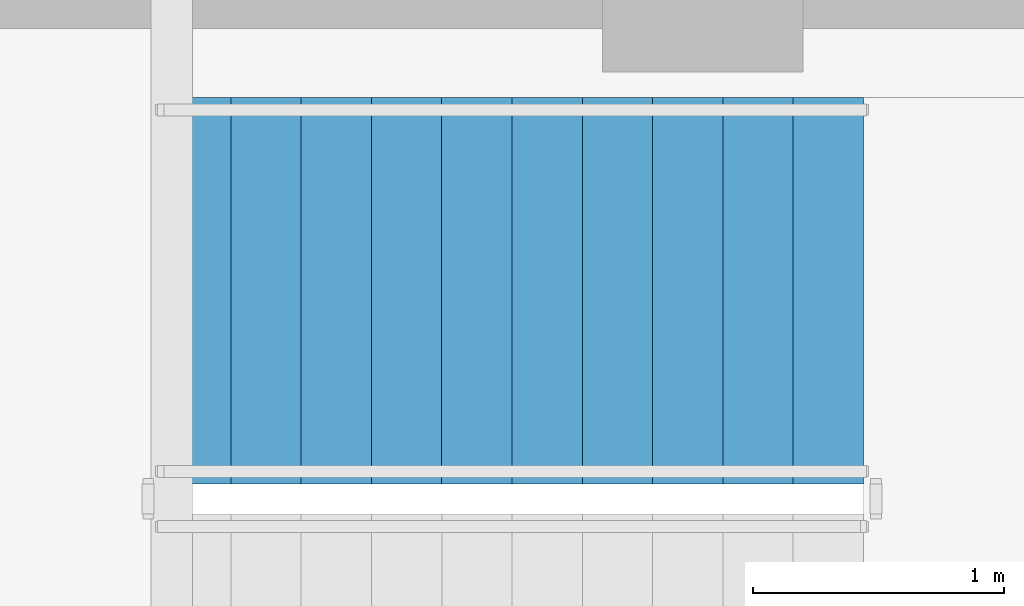
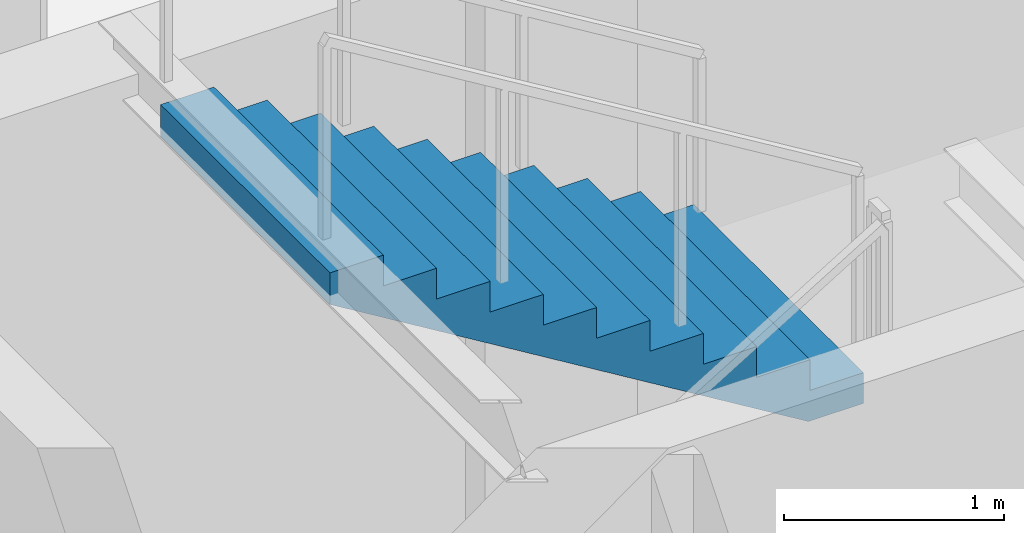
# One storey, part 26 of 30: 1 stair flight, 1 element without a shape of its own.
"""IFC4 building model written with IfcOpenShell, lengths in metres."""

from ifc_helpers import new_model, si_unit, direction, frame, origin, place, context, subcontext, project, spatial, polyline, outline, extrude, material, type_object, element, aggregate, save


model = new_model("IFC4")

# Units and contexts
model_context = context("Model", 3, precision=1e-05, world=origin(), true_north=direction((0.0, 1.0)))
body_context = subcontext(model_context, "Body", "Model", "MODEL_VIEW")
ifc_project = project(units=[si_unit("LENGTHUNIT", "METRE"), si_unit("AREAUNIT", "SQUARE_METRE"), si_unit("VOLUMEUNIT", "CUBIC_METRE"), si_unit("PLANEANGLEUNIT", "RADIAN"), si_unit("MASSUNIT", "GRAM", prefix="KILO")], contexts=[model_context])

# Site, building, storey
site_placement = place(None, origin())
site = spatial("IfcSite", under=ifc_project, at=site_placement, CompositionType="ELEMENT")
building_placement = place(site_placement, origin())
building = spatial("IfcBuilding", under=site, at=building_placement, Name="Vantalir Tower", CompositionType="ELEMENT")
storey_placement = place(building_placement, frame((0.0, 0.0, 201.14990234375)))
storey = spatial("IfcBuildingStorey", under=building, at=storey_placement, Name="L50", CompositionType="ELEMENT", Elevation=201.14990234375)

# Stair, stair flight
ifc_material = material(Name="Concrete C40/50", Category="concrete")
stair_type = type_object("IfcStairType", Name="STR-CORE-1450", PredefinedType="HALF_TURN_STAIR", material=ifc_material)
stair_placement = place(storey_placement, origin())
stair = element("IfcStair", 1, at=stair_placement, inside=storey, type_object=stair_type, Name="L50 Core Exit Stair 3", PredefinedType="HALF_TURN_STAIR")
stair_flight_type = type_object("IfcStairFlightType", Name="FLT-CORE-1450", PredefinedType="STRAIGHT", material=ifc_material)
stair_flight_placement = place(storey_placement, frame((32.139892578125, 31.179931640625, 1.875), z_axis=(0.0, 0.0, 1.0), x_axis=(-1.0, 0.0, 0.0)))
stair_flight = element("IfcStairFlight", 2, at=stair_flight_placement, type_object=stair_flight_type, Name="ST3 flight 2", NumberOfRisers=11, NumberOfTreads=10, PredefinedType="STRAIGHT", RiserHeight=0.170454545, TreadLength=0.28, context=body_context, shape_type="SweptSolid", body=[
    extrude(outline(polyline([(0.0, 0.0), (0.0, 0.17041015625), (0.280029296875, 0.17041015625), (0.280029296875, 0.3408203125), (0.56005859375, 0.3408203125), (0.56005859375, 0.511474609375), (0.840087890625, 0.511474609375), (0.840087890625, 0.681884765625), (1.1201171875, 0.681884765625), (1.1201171875, 0.852294921875), (1.39990234375, 0.852294921875), (1.39990234375, 1.022705078125), (1.679931640625, 1.022705078125), (1.679931640625, 1.193115234375), (1.9599609375, 1.193115234375), (1.9599609375, 1.363525390625), (2.239990234375, 1.363525390625), (2.239990234375, 1.5341796875), (2.52001953125, 1.5341796875), (2.52001953125, 1.70458984375), (2.800048828125, 1.70458984375), (2.800048828125, 1.875), (2.800048828125, 1.529052734375), (0.288330078125, 0.0), (0.0, 0.0)])), frame((0.0, 0.77001953125, 0.0), z_axis=(0.0, -1.0, 0.0), x_axis=(1.0, 0.0, 0.0)), (0.0, 0.0, 1.0), 1.5400390625),
])
aggregate(stair, [stair_flight])

save(model, "model.ifc")
